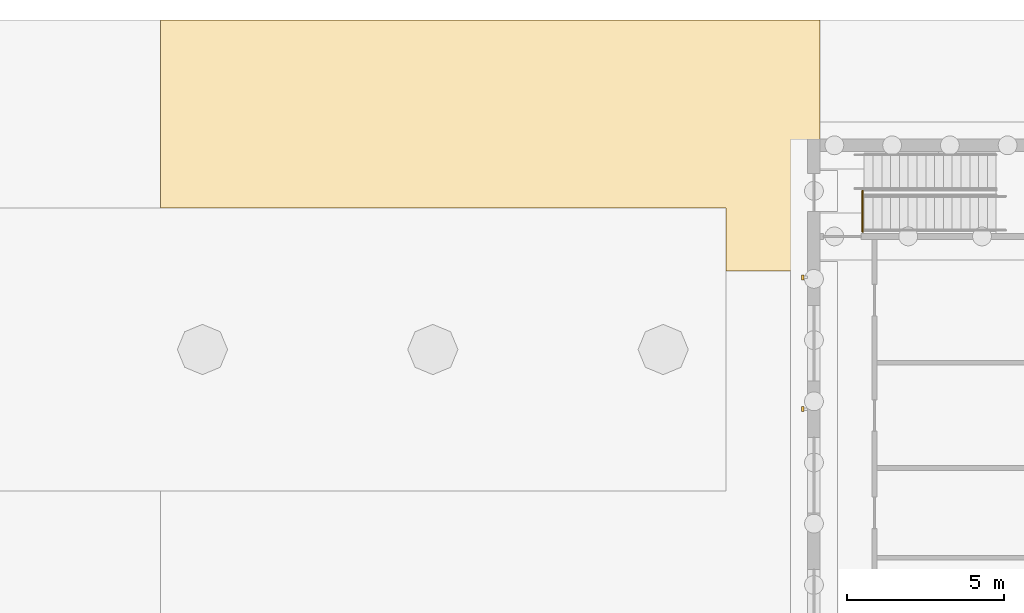
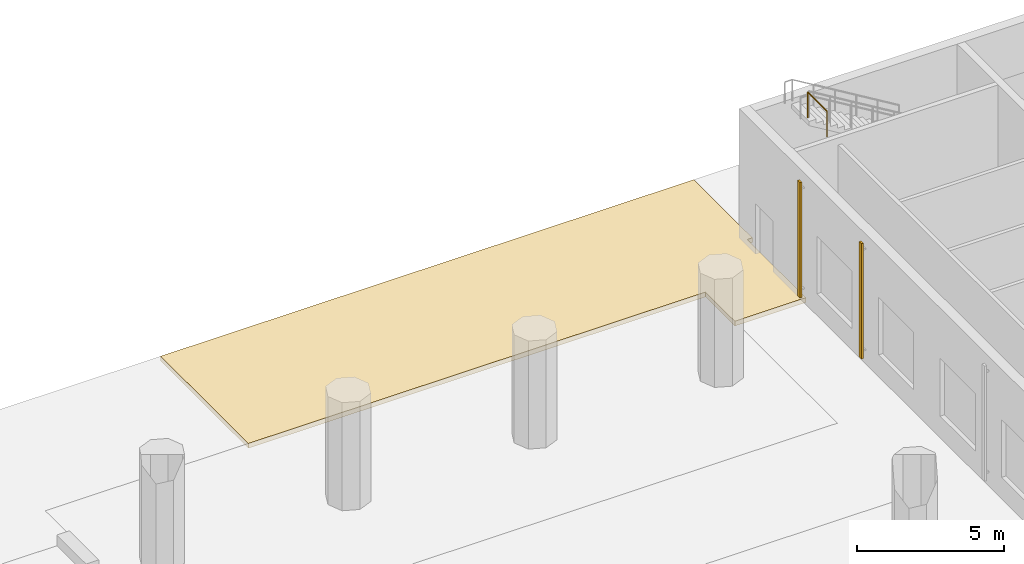
# One storey, part 119 of 127: 2 shading devices, 1 covering, 1 railing.
"""IFC4 building model written with IfcOpenShell, lengths in metres."""

import ifcopenshell
import ifcopenshell.guid

model = None  # the IFC model being written
_history = None  # IfcOwnerHistory: only IFC2X3 demands one
_inside = {}  # id of a spatial element -> (the spatial element, [elements in it])
_under = {}  # id of a project, library or spatial element -> (it, [spatial elements below it])
_declared = {}  # id of a project -> (the project, [libraries it declares])
_typed = {}  # id of a type object -> (the type object, [elements of that type])
_made_of = {}  # id of a material, layer set ... -> (it, [elements and type objects made of it])


def new_model(schema):
    """Start an empty IFC model of exactly this schema.

    Asked for "IFC4X3", IfcOpenShell would pick the latest addendum, in which some entities
    have other attributes; the version numbers below select the first issue.
    IFC2X3 requires an IfcOwnerHistory on every rooted entity: one is made here for all.
    """
    global model, _history
    if schema == "IFC4X3":
        model = ifcopenshell.file(schema_version=(4, 3, 0, 0))
    else:
        model = ifcopenshell.file(schema=schema)
    _inside.clear()
    _under.clear()
    _declared.clear()
    _typed.clear()
    _made_of.clear()
    _history = None
    if model.schema == "IFC2X3":
        org = make("IfcOrganization", Name="unknown")
        user = make(
            "IfcPersonAndOrganization",
            ThePerson=make("IfcPerson", FamilyName="unknown"),
            TheOrganization=org,
        )
        app = make(
            "IfcApplication",
            ApplicationDeveloper=org,
            Version="unknown",
            ApplicationFullName="unknown",
            ApplicationIdentifier="unknown",
        )
        _history = make(
            "IfcOwnerHistory",
            OwningUser=user,
            OwningApplication=app,
            ChangeAction="ADDED",
            CreationDate=0,
        )
    return model


def make(cls, **values):
    """One entity of the class cls with the attributes given. An attribute that is None is left unset."""
    return model.create_entity(
        cls, **{name: value for name, value in values.items() if value is not None}
    )


def rooted(cls, **values):
    """An entity with a GlobalId (a new one), such as an element, a storey or a relation."""
    return make(cls, GlobalId=ifcopenshell.guid.new(), OwnerHistory=_history, **values)


def si_unit(unit_type, name, prefix=None):
    """IfcSIUnit, for example si_unit("LENGTHUNIT", "METRE", prefix="MILLI")."""
    return make("IfcSIUnit", UnitType=unit_type, Prefix=prefix, Name=name)


def assignment(units):
    """IfcUnitAssignment: the units of a project."""
    return None if units is None else make("IfcUnitAssignment", Units=units)


def point(xyz):
    """IfcCartesianPoint."""
    return None if xyz is None else make("IfcCartesianPoint", Coordinates=xyz)


def direction(xyz):
    """IfcDirection."""
    return None if xyz is None else make("IfcDirection", DirectionRatios=xyz)


def frame(location, z_axis=None, x_axis=None):
    """IfcAxis2Placement3D, a coordinate frame: its origin and axes. An axis left out is left unset."""
    return make(
        "IfcAxis2Placement3D",
        Location=point(location),
        Axis=direction(z_axis),
        RefDirection=direction(x_axis),
    )


def frame_2d(location, x_axis=None):
    """IfcAxis2Placement2D, a coordinate frame in the plane: its origin and x axis."""
    return make(
        "IfcAxis2Placement2D", Location=point(location), RefDirection=direction(x_axis)
    )


def origin():
    """The frame at (0, 0, 0) with its axes left unset."""
    return frame((0.0, 0.0, 0.0))


def origin_2d():
    """The frame at (0, 0) in the plane with its x axis left unset."""
    return frame_2d((0.0, 0.0))


def place(relative_to, where):
    """IfcLocalPlacement: puts the frame where relative to a parent placement (None: the world)."""
    return make(
        "IfcLocalPlacement", PlacementRelTo=relative_to, RelativePlacement=where
    )


def context(
    kind, dimensions, precision=None, world=None, true_north=None, identifier=None
):
    """IfcGeometricRepresentationContext, for example the 3D "Model" context."""
    return make(
        "IfcGeometricRepresentationContext",
        ContextIdentifier=identifier,
        ContextType=kind,
        CoordinateSpaceDimension=dimensions,
        Precision=precision,
        WorldCoordinateSystem=world,
        TrueNorth=true_north,
    )


def subcontext(parent, identifier, kind, view, scale=None):
    """IfcGeometricRepresentationSubContext, for example "Body" below "Model"."""
    return make(
        "IfcGeometricRepresentationSubContext",
        ContextIdentifier=identifier,
        ContextType=kind,
        ParentContext=parent,
        TargetScale=scale,
        TargetView=view,
    )


def project(units=None, contexts=None):
    """IfcProject with its units and contexts."""
    return rooted(
        "IfcProject",
        Name="project",
        RepresentationContexts=contexts,
        UnitsInContext=assignment(units),
    )


def spatial(cls, under=None, at=None, **own):
    """A site, building, storey or space (cls), placed at a placement, below another one or the project."""
    s = rooted(cls, ObjectPlacement=at, **own)
    if under is not None:
        _under.setdefault(under.id(), (under, []))[1].append(s)
    return s


def polyline(points):
    """IfcPolyline through the points."""
    return make("IfcPolyline", Points=[point(p) for p in points])


def profile(cls, at=None, kind="AREA", **sizes):
    """A parametric profile (cls). Its sizes go by their IFC names, for example OverallWidth=200.0."""
    return make(cls, ProfileType=kind, Position=at, **sizes)


def rectangle(**sizes):
    """IfcRectangleProfileDef."""
    return profile("IfcRectangleProfileDef", **sizes)


def circle(**sizes):
    """IfcCircleProfileDef."""
    return profile("IfcCircleProfileDef", **sizes)


def outline(outer, holes=None, kind="AREA"):
    """IfcArbitraryClosedProfileDef: a profile drawn as a closed curve; with holes, ...WithVoids."""
    if holes is None:
        return make("IfcArbitraryClosedProfileDef", ProfileType=kind, OuterCurve=outer)
    return make(
        "IfcArbitraryProfileDefWithVoids",
        ProfileType=kind,
        OuterCurve=outer,
        InnerCurves=holes,
    )


def extrude(swept, where, along, depth):
    """IfcExtrudedAreaSolid: the profile swept, set in the frame where, extruded along a direction by depth."""
    return make(
        "IfcExtrudedAreaSolid",
        SweptArea=swept,
        Position=where,
        ExtrudedDirection=direction(along),
        Depth=depth,
    )


def shape(context_of_items, identifier, shape_type, items):
    """IfcShapeRepresentation: the items that make up one representation, for example the "Body"."""
    return make(
        "IfcShapeRepresentation",
        ContextOfItems=context_of_items,
        RepresentationIdentifier=identifier,
        RepresentationType=shape_type,
        Items=items,
    )


def material(Name=None, Category=None):
    """IfcMaterial."""
    return make("IfcMaterial", Name=Name, Category=Category)


def layer(
    of_material, thickness, ventilated=None, Name=None, Category=None, Priority=None
):
    """IfcMaterialLayer: one layer of a wall or slab, of a material (None: an air gap)."""
    return make(
        "IfcMaterialLayer",
        Material=of_material,
        LayerThickness=thickness,
        IsVentilated=ventilated,
        Name=Name,
        Category=Category,
        Priority=Priority,
    )


def layer_set(layers, Name=None):
    """IfcMaterialLayerSet."""
    return make("IfcMaterialLayerSet", MaterialLayers=layers, LayerSetName=Name)


def made_of(thing, what):
    """Note that an element or type object is made of a material, layer set ...; save() writes the relation."""
    if what is not None:
        _made_of.setdefault(what.id(), (what, []))[1].append(thing)
    return thing


def type_object(cls, material=None, **own):
    """A type object (cls), such as IfcWallType, which elements share."""
    return made_of(rooted(cls, **own), material)


def element(
    cls,
    number,
    at=None,
    inside=None,
    cuts=None,
    type_object=None,
    material=None,
    context=None,
    identifier="Body",
    shape_type=None,
    held_by="IfcProductDefinitionShape",
    body=None,
    shapes=None,
    **own,
):
    """One element of the class cls, such as IfcWall. Its Tag is "e" and its number.

    at: its placement. inside: the storey or other place that contains it. cuts: it is an
    opening in that element (IfcRelVoidsElement). A single representation is given by context,
    identifier, shape_type and body (its items); several are given by shapes. held_by: the class
    of the entity that holds the representations. save() writes the other relations.
    """
    e = rooted(cls, Tag="e%d" % number, ObjectPlacement=at, **own)
    if body is not None:
        shapes = [shape(context, identifier, shape_type, body)]
    if shapes is not None:
        e.Representation = make(held_by, Representations=shapes)
    if inside is not None:
        _inside.setdefault(inside.id(), (inside, []))[1].append(e)
    if cuts is not None:
        rooted(
            "IfcRelVoidsElement", RelatingBuildingElement=cuts, RelatedOpeningElement=e
        )
    if type_object is not None:
        _typed.setdefault(type_object.id(), (type_object, []))[1].append(e)
    return made_of(e, material)


def aggregate(whole, parts):
    """IfcRelAggregates: a whole, such as a stair, and the parts it consists of."""
    return rooted("IfcRelAggregates", RelatingObject=whole, RelatedObjects=parts)


def save(model, path):
    """Write the relations noted so far, then the file.

    IfcRelAggregates (storeys below a building ...), IfcRelContainedInSpatialStructure (elements
    in a storey), IfcRelDefinesByType, IfcRelAssociatesMaterial and IfcRelDeclares: one each for
    every whole, place, type object, material and project.
    """
    for whole, parts in _under.values():
        aggregate(whole, parts)
    for where, things in _inside.values():
        rooted(
            "IfcRelContainedInSpatialStructure",
            RelatedElements=things,
            RelatingStructure=where,
        )
    for kind, things in _typed.values():
        rooted("IfcRelDefinesByType", RelatedObjects=things, RelatingType=kind)
    for what, things in _made_of.values():
        rooted("IfcRelAssociatesMaterial", RelatedObjects=things, RelatingMaterial=what)
    for by, libraries in _declared.values():
        rooted("IfcRelDeclares", RelatingContext=by, RelatedDefinitions=libraries)
    model.write(path)


model = new_model("IFC4")

# Units and contexts
model_context = context("Model", 3, precision=1e-05, world=origin(), true_north=direction((0.0, 1.0)))
body_context = subcontext(model_context, "Body", "Model", "MODEL_VIEW")
ifc_project = project(units=[si_unit("LENGTHUNIT", "METRE"), si_unit("AREAUNIT", "SQUARE_METRE"), si_unit("VOLUMEUNIT", "CUBIC_METRE"), si_unit("PLANEANGLEUNIT", "RADIAN"), si_unit("MASSUNIT", "GRAM", prefix="KILO")], contexts=[model_context])

# Site, building, storey
site_placement = place(None, origin())
site = spatial("IfcSite", under=ifc_project, at=site_placement, CompositionType="ELEMENT")
building_placement = place(site_placement, origin())
building = spatial("IfcBuilding", under=site, at=building_placement, Name="Ljudholm Concert House", CompositionType="ELEMENT")
storey_placement = place(building_placement, origin())
storey = spatial("IfcBuildingStorey", under=building, at=storey_placement, Name="L00", CompositionType="ELEMENT", Elevation=0.0)

# Shading devices
ifc_material_1 = material(Name="Aluminium extrusion with timber-grain PVDF finish", Category="aluminium")
shading_device_type = type_object("IfcShadingDeviceType", Name="FACADE FIN 80x160", PredefinedType="SHUTTER", material=ifc_material_1)
for number, where, z_axis, x_axis, name in (
    (1, (62.43994140625, 163.60009765625, 0.2998046875), (0.0, 0.0, 1.0), (-1.0, 0.0, 0.0), "Facade fin"),
    (2, (62.43994140625, 167.800048828125, 0.2998046875), (0.0, 0.0, 1.0), (-1.0, 0.0, 0.0), "Facade fin"),
):
    element("IfcShadingDevice", number, at=place(storey_placement, frame(where, z_axis=z_axis, x_axis=x_axis)), inside=storey, type_object=shading_device_type, Name=name, PredefinedType="SHUTTER", context=body_context, shape_type="SweptSolid", body=[
        extrude(rectangle(XDim=0.080078125, YDim=0.159912109375, at=origin_2d()), origin(), (0.0, 0.0, 1.0), 4.800048828125),
    ])

# Railing
ifc_material_2 = material(Name="Steel ASTM A36", Category="steel")
railing_type = type_object("IfcRailingType", Name="GUARD 1100", PredefinedType="GUARDRAIL", material=ifc_material_2)
railing_placement = place(storey_placement, frame((64.35009765625, 169.25, 5.39990234375)))
element("IfcRailing", 3, at=railing_placement, inside=storey, type_object=railing_type, Name="Guard", PredefinedType="GUARDRAIL", context=body_context, shape_type="SweptSolid", body=[
    extrude(circle(Radius=0.02490234375, at=origin_2d()), frame((0.0, 0.0, 1.0751953125), z_axis=(0.0, 1.0, 0.0), x_axis=(-1.0, 0.0, 0.0)), (0.0, 0.0, 1.0), 1.300048828125),
    extrude(circle(Radius=0.02099609375, at=origin_2d()), origin(), (0.0, 0.0, 1.0), 1.050048828125),
    extrude(circle(Radius=0.02099609375, at=origin_2d()), frame((0.0, 1.300048828125, 0.0)), (0.0, 0.0, 1.0), 1.050048828125),
])

# Covering
ifc_material_3 = material(Name="Precast concrete pavers on compacted sand bed", Category="concrete")
ifc_layer = layer(ifc_material_3, 0.199951171875)
ifc_layer_set = layer_set([ifc_layer], Name="Precast concrete pavers on compacted sand bed")
covering_type = type_object("IfcCoveringType", Name="PRECAST CONCRETE PAVERS ON COMPACTED SAND BED PAVING 200", PredefinedType="USERDEFINED", material=ifc_layer_set)
covering_placement = place(storey_placement, frame((0.0, 0.0, -0.199951171875)))
element("IfcCovering", 4, at=covering_placement, inside=storey, type_object=covering_type, Name="Paving", ObjectType="PAVING", PredefinedType="USERDEFINED", context=body_context, shape_type="SweptSolid", body=[
    extrude(outline(polyline([(63.0, 175.989990234375), (63.0, 172.0), (62.800048828125, 172.0), (62.800048828125, 168.0), (60.0, 168.0), (60.0, 170.0), (42.0, 170.0), (42.0, 175.989990234375), (63.0, 175.989990234375)])), origin(), (0.0, 0.0, 1.0), 0.199951171875),
])

save(model, "model.ifc")
